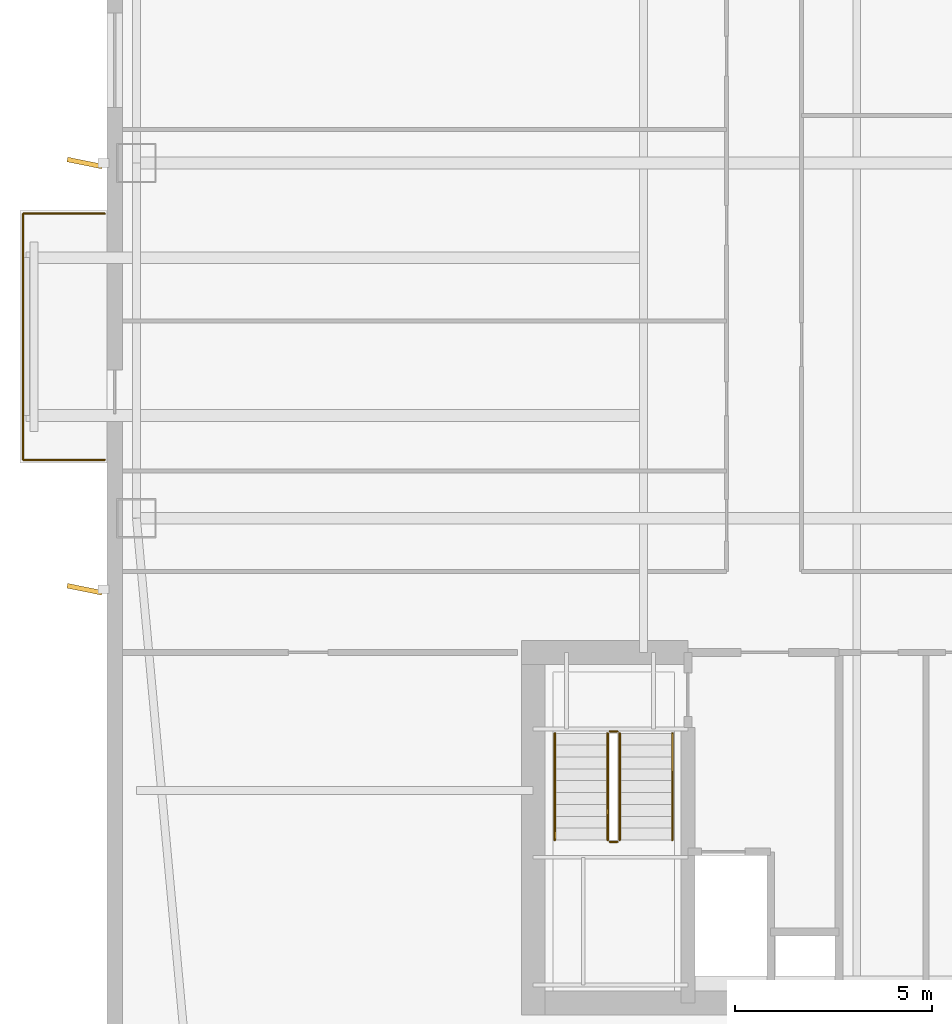
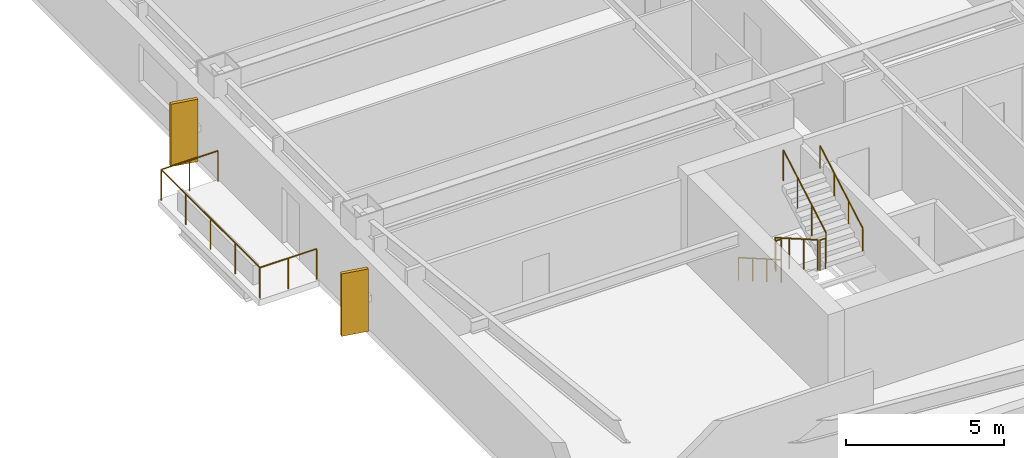
# One storey, part 12 of 16: 7 railings, 2 shading devices.
"""IFC4 building model written with IfcOpenShell, lengths in metres."""

from ifc_helpers import new_model, si_unit, direction, frame, origin, origin_2d, place, context, subcontext, project, spatial, rectangle, circle, extrude, material, layer, layer_set, type_object, element, save


model = new_model("IFC4")

# Units and contexts
model_context = context("Model", 3, precision=1e-05, world=origin(), true_north=direction((0.0, 1.0)))
body_context = subcontext(model_context, "Body", "Model", "MODEL_VIEW")
ifc_project = project(units=[si_unit("LENGTHUNIT", "METRE"), si_unit("AREAUNIT", "SQUARE_METRE"), si_unit("VOLUMEUNIT", "CUBIC_METRE"), si_unit("PLANEANGLEUNIT", "RADIAN"), si_unit("MASSUNIT", "GRAM", prefix="KILO")], contexts=[model_context])

# Site, building, storey
site_placement = place(None, origin())
site = spatial("IfcSite", under=ifc_project, at=site_placement, CompositionType="ELEMENT")
building_placement = place(site_placement, origin())
building = spatial("IfcBuilding", under=site, at=building_placement, Name="Qiaolan Cultural Towers", CompositionType="ELEMENT")
storey_placement = place(building_placement, frame((0.0, 0.0, 110.39990234375)))
storey = spatial("IfcBuildingStorey", under=building, at=storey_placement, Name="L28", CompositionType="ELEMENT", Elevation=110.39990234375)

# Railings
ifc_material_1 = material(Name="Laminated SentryGlas & Stainless Steel S31608 Balustrade", Category="steel")
railing_type_1 = type_object("IfcRailingType", Name="GRD-TERR-1200", PredefinedType="BALUSTRADE", material=ifc_material_1)
railing_1_placement = place(storey_placement, frame((10.949951171875, 26.47998046875, 0.0)))
element("IfcRailing", 1, at=railing_1_placement, inside=storey, type_object=railing_type_1, Name="L28 T1 Tree Balcony Guardrail W", PredefinedType="BALUSTRADE", context=body_context, shape_type="SweptSolid", body=[
    extrude(circle(Radius=0.02392578125, at=origin_2d()), frame((0.0, 0.0, 1.17578125), z_axis=(-1.0, 0.0, 0.0), x_axis=(0.0, -1.0, 0.0)), (0.0, 0.0, 1.0), 2.070068359375),
    extrude(circle(Radius=0.02392578125, at=origin_2d()), frame((-2.070068359375, 0.0, 1.17578125), z_axis=(0.0, 1.0, 0.0), x_axis=(-1.0, 0.0, 0.0)), (0.0, 0.0, 1.0), 6.239990234375),
    extrude(circle(Radius=0.02392578125, at=origin_2d()), frame((-2.070068359375, 6.239990234375, 1.17578125), z_axis=(1.0, 0.0, 0.0), x_axis=(0.0, 1.0, 0.0)), (0.0, 0.0, 1.0), 2.070068359375),
    extrude(circle(Radius=0.02099609375, at=origin_2d()), origin(), (0.0, 0.0, 1.0), 1.15185546875),
    extrude(circle(Radius=0.02099609375, at=origin_2d()), frame((-1.03515625, 0.0, 0.0)), (0.0, 0.0, 1.0), 1.15185546875),
    extrude(circle(Radius=0.02099609375, at=origin_2d()), frame((-2.070068359375, 0.0, 0.0)), (0.0, 0.0, 1.0), 1.15185546875),
    extrude(circle(Radius=0.02099609375, at=origin_2d()), frame((-2.070068359375, 1.56005859375, 0.0)), (0.0, 0.0, 1.0), 1.15185546875),
    extrude(circle(Radius=0.02099609375, at=origin_2d()), frame((-2.070068359375, 3.1201171875, 0.0)), (0.0, 0.0, 1.0), 1.15185546875),
    extrude(circle(Radius=0.02099609375, at=origin_2d()), frame((-2.070068359375, 4.679931640625, 0.0)), (0.0, 0.0, 1.0), 1.15185546875),
    extrude(circle(Radius=0.02099609375, at=origin_2d()), frame((-2.070068359375, 6.239990234375, 0.0)), (0.0, 0.0, 1.0), 1.15185546875),
    extrude(circle(Radius=0.02099609375, at=origin_2d()), frame((-1.03515625, 6.239990234375, 0.0)), (0.0, 0.0, 1.0), 1.15185546875),
    extrude(circle(Radius=0.02099609375, at=origin_2d()), frame((0.0, 6.239990234375, 0.0)), (0.0, 0.0, 1.0), 1.15185546875),
])
ifc_material_2 = material(Name="Galvanized Painted Steel Stair Guardrail", Category="steel")
railing_type_2 = type_object("IfcRailingType", Name="RL-STAIR-GRD", PredefinedType="GUARDRAIL", material=ifc_material_2)
railing_2_placement = place(storey_placement, frame((23.68994140625, 19.550048828125, 0.172607421875)))
element("IfcRailing", 2, at=railing_2_placement, inside=storey, type_object=railing_type_2, Name="L28 ST-W1 stair guard 1", PredefinedType="GUARDRAIL", context=body_context, shape_type="SweptSolid", body=[
    extrude(circle(Radius=0.02392578125, at=origin_2d()), frame((0.0, 0.0, 1.17578125), z_axis=(0.0, -0.866903762492, 0.498475542607), x_axis=(1.0, 0.0, 0.0)), (0.0, 0.0, 1.0), 3.114501953125),
    extrude(circle(Radius=0.02099609375, at=origin_2d()), origin(), (0.0, 0.0, 1.0), 1.15185546875),
    extrude(circle(Radius=0.02099609375, at=origin_2d()), frame((0.0, -0.89990234375, 0.517578125)), (0.0, 0.0, 1.0), 1.15185546875),
    extrude(circle(Radius=0.02099609375, at=origin_2d()), frame((0.0, -1.800048828125, 1.034912109375)), (0.0, 0.0, 1.0), 1.15185546875),
    extrude(circle(Radius=0.02099609375, at=origin_2d()), frame((0.0, -2.699951171875, 1.552490234375)), (0.0, 0.0, 1.0), 1.15185546875),
])
railing_3_placement = place(storey_placement, frame((23.739990234375, 16.800048828125, 1.72509765625)))
element("IfcRailing", 3, at=railing_3_placement, inside=storey, type_object=railing_type_2, Name="L28 ST-W1 stair guard 2", PredefinedType="GUARDRAIL", context=body_context, shape_type="SweptSolid", body=[
    extrude(circle(Radius=0.02392578125, at=origin_2d()), frame((0.0, 0.0, 1.17578125), z_axis=(1.0, 0.0, 0.0), x_axis=(0.0, 1.0, 0.0)), (0.0, 0.0, 1.0), 0.199951171875),
    extrude(circle(Radius=0.02099609375, at=origin_2d()), origin(), (0.0, 0.0, 1.0), 1.15185546875),
    extrude(circle(Radius=0.02099609375, at=origin_2d()), frame((0.199951171875, 0.0, 0.0)), (0.0, 0.0, 1.0), 1.15185546875),
])
railing_4_placement = place(storey_placement, frame((23.989990234375, 16.85009765625, 1.897705078125)))
element("IfcRailing", 4, at=railing_4_placement, inside=storey, type_object=railing_type_2, Name="L28 ST-W1 stair guard 3", PredefinedType="GUARDRAIL", context=body_context, shape_type="SweptSolid", body=[
    extrude(circle(Radius=0.02392578125, at=origin_2d()), frame((0.0, 0.0, 1.17578125), z_axis=(0.0, 0.866903762492, 0.498475542607), x_axis=(-1.0, 0.0, 0.0)), (0.0, 0.0, 1.0), 3.114501953125),
    extrude(circle(Radius=0.02099609375, at=origin_2d()), origin(), (0.0, 0.0, 1.0), 1.15185546875),
    extrude(circle(Radius=0.02099609375, at=origin_2d()), frame((0.0, 0.89990234375, 0.517578125)), (0.0, 0.0, 1.0), 1.15185546875),
    extrude(circle(Radius=0.02099609375, at=origin_2d()), frame((0.0, 1.800048828125, 1.034912109375)), (0.0, 0.0, 1.0), 1.15185546875),
    extrude(circle(Radius=0.02099609375, at=origin_2d()), frame((0.0, 2.699951171875, 1.552490234375)), (0.0, 0.0, 1.0), 1.15185546875),
])
railing_5_placement = place(storey_placement, frame((23.739990234375, 19.60009765625, 0.0)))
element("IfcRailing", 5, at=railing_5_placement, inside=storey, type_object=railing_type_2, Name="L28 ST-W1 stair guard 4", PredefinedType="GUARDRAIL", context=body_context, shape_type="SweptSolid", body=[
    extrude(circle(Radius=0.02392578125, at=origin_2d()), frame((0.0, 0.0, 1.17578125), z_axis=(1.0, 0.0, 0.0), x_axis=(0.0, 1.0, 0.0)), (0.0, 0.0, 1.0), 0.199951171875),
    extrude(circle(Radius=0.02099609375, at=origin_2d()), origin(), (0.0, 0.0, 1.0), 1.15185546875),
    extrude(circle(Radius=0.02099609375, at=origin_2d()), frame((0.199951171875, 0.0, 0.0)), (0.0, 0.0, 1.0), 1.15185546875),
])
ifc_material_3 = material(Name="Stainless Steel S30408 Tubular Handrail", Category="steel")
railing_type_3 = type_object("IfcRailingType", Name="RL-STAIR-HR", PredefinedType="HANDRAIL", material=ifc_material_3)
railing_6_placement = place(storey_placement, frame((22.35009765625, 19.550048828125, 0.172607421875)))
element("IfcRailing", 6, at=railing_6_placement, inside=storey, type_object=railing_type_3, Name="L28 ST-W1 stair handrail 1", PredefinedType="HANDRAIL", context=body_context, shape_type="SweptSolid", body=[
    extrude(circle(Radius=0.02392578125, at=origin_2d()), frame((0.0, 0.0, 0.8759765625), z_axis=(0.0, -0.866903762492, 0.498475542607), x_axis=(1.0, 0.0, 0.0)), (0.0, 0.0, 1.0), 3.114501953125),
    extrude(circle(Radius=0.02099609375, at=origin_2d()), origin(), (0.0, 0.0, 1.0), 0.851806640625),
    extrude(circle(Radius=0.02099609375, at=origin_2d()), frame((0.0, -0.89990234375, 0.517578125)), (0.0, 0.0, 1.0), 0.851806640625),
    extrude(circle(Radius=0.02099609375, at=origin_2d()), frame((0.0, -1.800048828125, 1.034912109375)), (0.0, 0.0, 1.0), 0.851806640625),
    extrude(circle(Radius=0.02099609375, at=origin_2d()), frame((0.0, -2.699951171875, 1.552490234375)), (0.0, 0.0, 1.0), 0.851806640625),
])
railing_7_placement = place(storey_placement, frame((25.330078125, 16.85009765625, 1.897705078125)))
element("IfcRailing", 7, at=railing_7_placement, inside=storey, type_object=railing_type_3, Name="L28 ST-W1 stair handrail 2", PredefinedType="HANDRAIL", context=body_context, shape_type="SweptSolid", body=[
    extrude(circle(Radius=0.02392578125, at=origin_2d()), frame((0.0, 0.0, 0.8759765625), z_axis=(0.0, 0.866903762492, 0.498475542607), x_axis=(-1.0, 0.0, 0.0)), (0.0, 0.0, 1.0), 3.114501953125),
    extrude(circle(Radius=0.02099609375, at=origin_2d()), origin(), (0.0, 0.0, 1.0), 0.851806640625),
    extrude(circle(Radius=0.02099609375, at=origin_2d()), frame((0.0, 0.89990234375, 0.517578125)), (0.0, 0.0, 1.0), 0.851806640625),
    extrude(circle(Radius=0.02099609375, at=origin_2d()), frame((0.0, 1.800048828125, 1.034912109375)), (0.0, 0.0, 1.0), 0.851806640625),
    extrude(circle(Radius=0.02099609375, at=origin_2d()), frame((0.0, 2.699951171875, 1.552490234375)), (0.0, 0.0, 1.0), 0.851806640625),
])

# Shading devices
ifc_material_4 = material(Name="Pierced Warm Terracotta Acoustic Fin", Category="masonry")
ifc_layer = layer(ifc_material_4, 0.1201171875)
ifc_layer_set = layer_set([ifc_layer], Name="Pierced Warm Terracotta Acoustic Fin")
shading_device_type = type_object("IfcShadingDeviceType", Name="SHD-FIN-PIERCED", PredefinedType="USERDEFINED", material=ifc_layer_set)
for number, where, z_axis, x_axis, name in (
    (8, (10.43994140625, 23.199951171875, 0.10009765625), (0.0, 0.0, 1.0), (0.979957166978, -0.19920831029, 0.0), "L28 T1 Expressive Precast Vertical Fin W1"),
    (9, (10.43994140625, 34.0, 0.10009765625), (0.0, 0.0, 1.0), (0.979957166978, -0.19920831029, 0.0), "L28 T1 Expressive Precast Vertical Fin W2"),
):
    element("IfcShadingDevice", number, at=place(storey_placement, frame(where, z_axis=z_axis, x_axis=x_axis)), inside=storey, type_object=shading_device_type, Name=name, ObjectType="FIN", PredefinedType="USERDEFINED", context=body_context, shape_type="SweptSolid", body=[
        extrude(rectangle(XDim=0.89990234375, YDim=0.1201171875, at=origin_2d()), origin(), (0.0, 0.0, 1.0), 2.409912109375),
    ])

save(model, "model.ifc")
